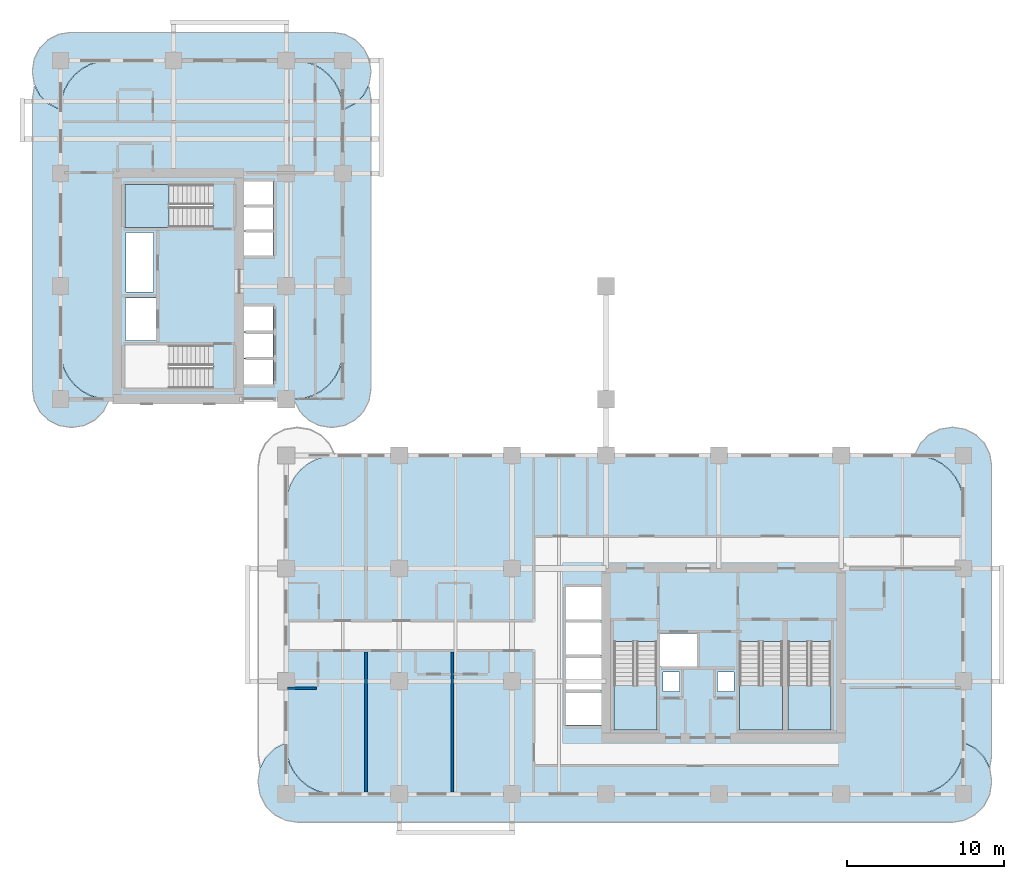
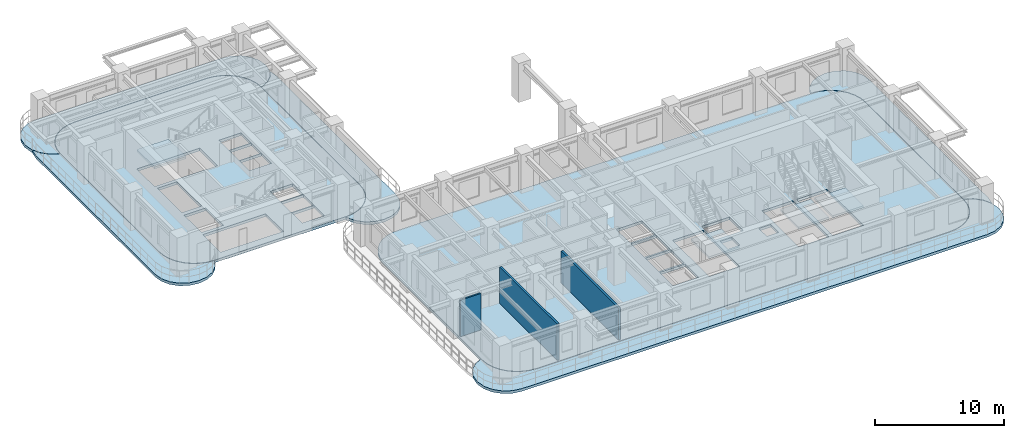
# One storey, part 5 of 18: 11 slabs, 3 walls, 4 elements without a shape of their own.
"""IFC4 building model written with IfcOpenShell, lengths in metres."""

from ifc_helpers import new_model, si_unit, derived_unit, direction, frame, frame_2d, origin, place, context, subcontext, project, spatial, polyline, rectangle, outline, extrude, material, layer, layer_set, type_object, element, aggregate, save


model = new_model("IFC4")

# Units and contexts
model_context = context("Model", 3, precision=1e-05, world=origin(), true_north=direction((0.0, 1.0)))
body_context = subcontext(model_context, "Body", "Model", "MODEL_VIEW")
ifc_project = project(units=[si_unit("LENGTHUNIT", "METRE"), si_unit("AREAUNIT", "SQUARE_METRE"), si_unit("VOLUMEUNIT", "CUBIC_METRE"), si_unit("PLANEANGLEUNIT", "RADIAN"), si_unit("MASSUNIT", "GRAM", prefix="KILO"), si_unit("THERMODYNAMICTEMPERATUREUNIT", "KELVIN"), si_unit("POWERUNIT", "WATT"), derived_unit("THERMALTRANSMITTANCEUNIT", [(si_unit("POWERUNIT", "WATT"), 1), (si_unit("AREAUNIT", "SQUARE_METRE"), -1), (si_unit("THERMODYNAMICTEMPERATUREUNIT", "KELVIN"), -1)])], contexts=[model_context])

# Site, building, storey
site_placement = place(None, origin())
site = spatial("IfcSite", under=ifc_project, at=site_placement, CompositionType="ELEMENT")
building_placement = place(site_placement, origin())
building = spatial("IfcBuilding", under=site, at=building_placement, Name="Zahravan Archway Hotel and Residences", CompositionType="ELEMENT")
storey_placement = place(building_placement, frame((0.0, 0.0, 36.10009765625)))
storey = spatial("IfcBuildingStorey", under=building, at=storey_placement, Name="L07", CompositionType="ELEMENT", Elevation=36.10009765625)

# Slabs
ifc_material_1 = material(Name="Concrete C45/55", Category="concrete")
ifc_layer_1 = layer(ifc_material_1, 0.25, Name="Concrete C45/55", Category="concrete")
ifc_layer_set_1 = layer_set([ifc_layer_1], Name="Concrete C45/55")
slab_type_1 = type_object("IfcSlabType", Name="SLB-BALC-250", PredefinedType="FLOOR", material=ifc_layer_set_1)
slab_1_placement = place(storey_placement, frame((0.0, 0.0, -0.25)))
element("IfcSlab", 1, at=slab_1_placement, inside=storey, type_object=slab_type_1, Name="L07 Wing A South Rounded Balcony Band", PredefinedType="FLOOR", context=body_context, shape_type="SweptSolid", body=[
    extrude(outline(polyline([(57.637939453125, 3.275146484375), (58.348876953125, 2.9130859375), (58.9130859375, 2.348876953125), (59.275146484375, 1.637939453125), (59.39990234375, 0.85009765625), (59.39990234375, 0.75), (59.275146484375, -0.0380859375), (58.9130859375, -0.748779296875), (58.348876953125, -1.31298828125), (57.637939453125, -1.67529296875), (56.85009765625, -1.800048828125), (15.14990234375, -1.800048828125), (14.362060546875, -1.67529296875), (13.651123046875, -1.31298828125), (13.0869140625, -0.748779296875), (12.724853515625, -0.0380859375), (12.60009765625, 0.75), (12.60009765625, 0.85009765625), (12.724853515625, 1.637939453125), (13.0869140625, 2.348876953125), (13.651123046875, 2.9130859375), (14.362060546875, 3.275146484375), (14.3798828125, 3.278076171875), (14.3798828125, 3.10009765625), (14.380126953125, 3.097900390625), (14.439697265625, 2.4931640625), (14.43994140625, 2.4912109375), (14.4404296875, 2.489501953125), (14.616943359375, 1.907958984375), (14.617431640625, 1.906005859375), (14.618408203125, 1.904296875), (14.90478515625, 1.368408203125), (14.90576171875, 1.36669921875), (14.906982421875, 1.364990234375), (15.29248046875, 0.895263671875), (15.2939453125, 0.893798828125), (15.29541015625, 0.892578125), (15.764892578125, 0.5068359375), (15.7666015625, 0.505859375), (15.768310546875, 0.5048828125), (16.30419921875, 0.218505859375), (16.305908203125, 0.217529296875), (16.307861328125, 0.216796875), (16.889404296875, 0.04052734375), (16.891357421875, 0.0400390625), (16.893310546875, 0.039794921875), (17.498046875, -0.02001953125), (17.5, -0.02001953125), (54.5, -0.02001953125), (54.501953125, -0.02001953125), (55.106689453125, 0.039794921875), (55.108642578125, 0.0400390625), (55.110595703125, 0.04052734375), (55.692138671875, 0.216796875), (55.694091796875, 0.217529296875), (55.69580078125, 0.218505859375), (56.231689453125, 0.5048828125), (56.2333984375, 0.505859375), (56.235107421875, 0.5068359375), (56.70458984375, 0.892578125), (56.7060546875, 0.893798828125), (56.70751953125, 0.895263671875), (57.093017578125, 1.364990234375), (57.09423828125, 1.36669921875), (57.09521484375, 1.368408203125), (57.381591796875, 1.904296875), (57.382568359375, 1.906005859375), (57.383056640625, 1.907958984375), (57.5595703125, 2.489501953125), (57.56005859375, 2.4912109375), (57.560302734375, 2.4931640625), (57.619873046875, 3.097900390625), (57.6201171875, 3.10009765625), (57.6201171875, 3.278076171875), (57.637939453125, 3.275146484375)])), origin(), (0.0, 0.0, 1.0), 0.25),
])
slab_2_placement = place(storey_placement, frame((0.0, 0.0, -0.25)))
element("IfcSlab", 2, at=slab_2_placement, inside=storey, type_object=slab_type_1, Name="L07 Wing A East Rounded Balcony Band", PredefinedType="FLOOR", context=body_context, shape_type="SweptSolid", body=[
    extrude(outline(polyline([(54.52001953125, 21.70703125), (54.867919921875, 22.39013671875), (55.409912109375, 22.93212890625), (56.093017578125, 23.280029296875), (56.85009765625, 23.39990234375), (56.949951171875, 23.39990234375), (57.70703125, 23.280029296875), (58.39013671875, 22.93212890625), (58.93212890625, 22.39013671875), (59.280029296875, 21.70703125), (59.39990234375, 20.949951171875), (59.39990234375, 2.449951171875), (59.280029296875, 1.69287109375), (59.27490234375, 1.6826171875), (58.930908203125, 2.35791015625), (58.9296875, 2.35986328125), (58.928466796875, 2.361572265625), (58.927001953125, 2.363037109375), (58.363037109375, 2.927001953125), (58.361572265625, 2.928466796875), (58.35986328125, 2.9296875), (58.35791015625, 2.930908203125), (57.647216796875, 3.29296875), (57.645263671875, 3.2939453125), (57.643310546875, 3.29443359375), (57.64111328125, 3.294921875), (57.623046875, 3.2978515625), (57.62109375, 3.298095703125), (57.6201171875, 3.298095703125), (57.6201171875, 18.5), (57.619873046875, 18.501953125), (57.560302734375, 19.106689453125), (57.56005859375, 19.108642578125), (57.5595703125, 19.110595703125), (57.383056640625, 19.692138671875), (57.382568359375, 19.694091796875), (57.381591796875, 19.69580078125), (57.09521484375, 20.231689453125), (57.09423828125, 20.2333984375), (57.093017578125, 20.235107421875), (56.70751953125, 20.70458984375), (56.7060546875, 20.7060546875), (56.70458984375, 20.70751953125), (56.235107421875, 21.093017578125), (56.2333984375, 21.09423828125), (56.231689453125, 21.09521484375), (55.69580078125, 21.381591796875), (55.694091796875, 21.382568359375), (55.692138671875, 21.383056640625), (55.110595703125, 21.5595703125), (55.108642578125, 21.56005859375), (55.106689453125, 21.560302734375), (54.506103515625, 21.619384765625), (54.52001953125, 21.70703125)])), origin(), (0.0, 0.0, 1.0), 0.25),
])
slab_3_placement = place(storey_placement, frame((0.0, 0.0, -0.25)))
element("IfcSlab", 3, at=slab_3_placement, inside=storey, type_object=slab_type_1, Name="L07 Wing B North Rounded Balcony Band", PredefinedType="FLOOR", context=body_context, shape_type="SweptSolid", body=[
    extrude(outline(polyline([(-0.107177734375, 43.719970703125), (-0.7900390625, 44.06787109375), (-1.33203125, 44.60986328125), (-1.68017578125, 45.29296875), (-1.800048828125, 46.050048828125), (-1.800048828125, 46.14990234375), (-1.68017578125, 46.906982421875), (-1.33203125, 47.590087890625), (-0.7900390625, 48.132080078125), (-0.107177734375, 48.47998046875), (0.64990234375, 48.60009765625), (17.35009765625, 48.60009765625), (18.107177734375, 48.47998046875), (18.7900390625, 48.132080078125), (19.33203125, 47.590087890625), (19.68017578125, 46.906982421875), (19.800048828125, 46.14990234375), (19.800048828125, 46.050048828125), (19.68017578125, 45.29296875), (19.33203125, 44.60986328125), (18.7900390625, 44.06787109375), (18.107177734375, 43.719970703125), (18.01953125, 43.7060546875), (17.960205078125, 44.306884765625), (17.9599609375, 44.30859375), (17.95947265625, 44.310546875), (17.783203125, 44.89208984375), (17.782470703125, 44.89404296875), (17.781494140625, 44.895751953125), (17.4951171875, 45.431640625), (17.494140625, 45.433349609375), (17.4931640625, 45.43505859375), (17.107421875, 45.90478515625), (17.106201171875, 45.906005859375), (17.104736328125, 45.907470703125), (16.635009765625, 46.293212890625), (16.63330078125, 46.294189453125), (16.631591796875, 46.295166015625), (16.095703125, 46.58154296875), (16.093994140625, 46.58251953125), (16.092041015625, 46.5830078125), (15.510498046875, 46.759521484375), (15.5087890625, 46.760009765625), (15.5068359375, 46.76025390625), (14.902099609375, 46.81982421875), (14.89990234375, 46.820068359375), (3.10009765625, 46.820068359375), (3.097900390625, 46.81982421875), (2.4931640625, 46.76025390625), (2.4912109375, 46.760009765625), (2.489501953125, 46.759521484375), (1.907958984375, 46.5830078125), (1.906005859375, 46.58251953125), (1.904296875, 46.58154296875), (1.368408203125, 46.295166015625), (1.36669921875, 46.294189453125), (1.364990234375, 46.293212890625), (0.895263671875, 45.907470703125), (0.893798828125, 45.906005859375), (0.892578125, 45.90478515625), (0.5068359375, 45.43505859375), (0.505859375, 45.433349609375), (0.5048828125, 45.431640625), (0.218505859375, 44.895751953125), (0.217529296875, 44.89404296875), (0.216796875, 44.89208984375), (0.04052734375, 44.310546875), (0.0400390625, 44.30859375), (0.039794921875, 44.306884765625), (-0.01953125, 43.7060546875), (-0.107177734375, 43.719970703125)])), origin(), (0.0, 0.0, 1.0), 0.25),
])
slab_4_placement = place(storey_placement, frame((0.0, 0.0, -0.25)))
element("IfcSlab", 4, at=slab_4_placement, inside=storey, type_object=slab_type_1, Name="L07 Wing B West Rounded Balcony Band", PredefinedType="FLOOR", context=body_context, shape_type="SweptSolid", body=[
    extrude(outline(polyline([(3.080078125, 25.093017578125), (2.732177734375, 24.409912109375), (2.190185546875, 23.867919921875), (1.507080078125, 23.52001953125), (0.75, 23.39990234375), (0.64990234375, 23.39990234375), (-0.107177734375, 23.52001953125), (-0.7900390625, 23.867919921875), (-1.33203125, 24.409912109375), (-1.68017578125, 25.093017578125), (-1.800048828125, 25.85009765625), (-1.800048828125, 44.35009765625), (-1.68017578125, 45.107177734375), (-1.64404296875, 45.177978515625), (-1.349853515625, 44.600830078125), (-1.348876953125, 44.59912109375), (-1.34765625, 44.597412109375), (-1.34619140625, 44.595703125), (-0.80419921875, 44.0537109375), (-0.802734375, 44.052490234375), (-0.801025390625, 44.051025390625), (-0.79931640625, 44.050048828125), (-0.1162109375, 43.7021484375), (-0.1142578125, 43.701171875), (-0.1123046875, 43.70068359375), (-0.110107421875, 43.7001953125), (-0.022705078125, 43.686279296875), (-0.020751953125, 43.68603515625), (-0.02001953125, 43.68603515625), (-0.02001953125, 28.300048828125), (-0.02001953125, 28.298095703125), (0.039794921875, 27.693115234375), (0.0400390625, 27.69140625), (0.04052734375, 27.689453125), (0.216796875, 27.10791015625), (0.217529296875, 27.10595703125), (0.218505859375, 27.104248046875), (0.5048828125, 26.568359375), (0.505859375, 26.566650390625), (0.5068359375, 26.56494140625), (0.892578125, 26.09521484375), (0.893798828125, 26.093994140625), (0.895263671875, 26.092529296875), (1.364990234375, 25.706787109375), (1.36669921875, 25.705810546875), (1.368408203125, 25.704833984375), (1.904296875, 25.41845703125), (1.906005859375, 25.41748046875), (1.907958984375, 25.4169921875), (2.489501953125, 25.240478515625), (2.4912109375, 25.239990234375), (2.4931640625, 25.23974609375), (3.093994140625, 25.180419921875), (3.080078125, 25.093017578125)])), origin(), (0.0, 0.0, 1.0), 0.25),
])
slab_5_placement = place(storey_placement, frame((0.0, 0.0, -0.25)))
element("IfcSlab", 5, at=slab_5_placement, inside=storey, type_object=slab_type_1, Name="L07 Wing B East Rounded Balcony Band", PredefinedType="FLOOR", context=body_context, shape_type="SweptSolid", body=[
    extrude(outline(polyline([(19.68017578125, 45.107177734375), (19.800048828125, 44.35009765625), (19.800048828125, 25.85009765625), (19.68017578125, 25.093017578125), (19.33203125, 24.409912109375), (18.7900390625, 23.867919921875), (18.107177734375, 23.52001953125), (17.35009765625, 23.39990234375), (17.25, 23.39990234375), (16.492919921875, 23.52001953125), (15.809814453125, 23.867919921875), (15.267822265625, 24.409912109375), (14.919921875, 25.093017578125), (14.906005859375, 25.180419921875), (15.5068359375, 25.23974609375), (15.5087890625, 25.239990234375), (15.510498046875, 25.240478515625), (16.092041015625, 25.4169921875), (16.093994140625, 25.41748046875), (16.095703125, 25.41845703125), (16.631591796875, 25.704833984375), (16.63330078125, 25.705810546875), (16.635009765625, 25.706787109375), (17.104736328125, 26.092529296875), (17.106201171875, 26.093994140625), (17.107421875, 26.09521484375), (17.4931640625, 26.56494140625), (17.494140625, 26.566650390625), (17.4951171875, 26.568359375), (17.781494140625, 27.104248046875), (17.782470703125, 27.10595703125), (17.783203125, 27.10791015625), (17.95947265625, 27.689453125), (17.9599609375, 27.69140625), (17.960205078125, 27.693115234375), (18.02001953125, 28.298095703125), (18.02001953125, 28.300048828125), (18.02001953125, 43.68603515625), (18.020751953125, 43.68603515625), (18.022705078125, 43.686279296875), (18.110107421875, 43.7001953125), (18.1123046875, 43.70068359375), (18.1142578125, 43.701171875), (18.1162109375, 43.7021484375), (18.79931640625, 44.050048828125), (18.801025390625, 44.051025390625), (18.802734375, 44.052490234375), (18.80419921875, 44.0537109375), (19.34619140625, 44.595703125), (19.34765625, 44.597412109375), (19.348876953125, 44.59912109375), (19.349853515625, 44.600830078125), (19.64404296875, 45.177978515625), (19.68017578125, 45.107177734375)])), origin(), (0.0, 0.0, 1.0), 0.25),
])
ifc_layer_2 = layer(ifc_material_1, 0.25, Name="Concrete C45/55", Category="concrete")
ifc_layer_set_2 = layer_set([ifc_layer_2], Name="Concrete C45/55")
slab_type_2 = type_object("IfcSlabType", Name="SLB-FLR-250", PredefinedType="FLOOR", material=ifc_layer_set_2)
slab_6_placement = place(storey_placement, frame((0.0, 0.0, -0.25)))
element("IfcSlab", 6, at=slab_6_placement, inside=storey, type_object=slab_type_2, Name="L07 Floor Slab WA", PredefinedType="FLOOR", context=body_context, shape_type="SweptSolid", body=[
    extrude(outline(polyline([(54.5, 0.0), (55.104736328125, 0.0595703125), (55.686279296875, 0.236083984375), (56.222412109375, 0.5224609375), (56.69189453125, 0.907958984375), (57.07763671875, 1.377685546875), (57.364013671875, 1.913818359375), (57.540283203125, 2.4951171875), (57.60009765625, 3.10009765625), (57.60009765625, 18.5), (57.540283203125, 19.104736328125), (57.364013671875, 19.686279296875), (57.07763671875, 20.222412109375), (56.69189453125, 20.69189453125), (56.222412109375, 21.07763671875), (55.686279296875, 21.364013671875), (55.104736328125, 21.540283203125), (54.5, 21.60009765625), (17.5, 21.60009765625), (16.895263671875, 21.540283203125), (16.313720703125, 21.364013671875), (15.777587890625, 21.07763671875), (15.30810546875, 20.69189453125), (14.92236328125, 20.222412109375), (14.635986328125, 19.686279296875), (14.459716796875, 19.104736328125), (14.39990234375, 18.5), (14.39990234375, 3.10009765625), (14.459716796875, 2.4951171875), (14.635986328125, 1.913818359375), (14.92236328125, 1.377685546875), (15.30810546875, 0.907958984375), (15.777587890625, 0.5224609375), (16.313720703125, 0.236083984375), (16.895263671875, 0.0595703125), (17.5, 0.0), (54.5, 0.0)]), holes=[polyline([(35.300048828125, 9.72998046875), (35.300048828125, 4.10009765625), (38.0400390625, 4.10009765625), (38.0400390625, 9.72998046875), (35.300048828125, 9.72998046875)]), polyline([(43.320068359375, 9.72998046875), (43.320068359375, 4.10009765625), (46.06005859375, 4.10009765625), (46.06005859375, 9.72998046875), (43.320068359375, 9.72998046875)]), polyline([(46.39990234375, 9.72998046875), (46.39990234375, 4.10009765625), (49.139892578125, 4.10009765625), (49.139892578125, 9.72998046875), (46.39990234375, 9.72998046875)]), polyline([(38.179931640625, 8.14990234375), (40.699951171875, 8.14990234375), (40.699951171875, 10.25), (38.179931640625, 10.25), (38.179931640625, 8.14990234375)]), polyline([(32.25, 4.39990234375), (34.550048828125, 4.39990234375), (34.550048828125, 6.47998046875), (32.25, 6.47998046875), (32.25, 4.39990234375)]), polyline([(32.25, 6.639892578125), (34.550048828125, 6.639892578125), (34.550048828125, 8.719970703125), (32.25, 8.719970703125), (32.25, 6.639892578125)]), polyline([(32.25, 8.8798828125), (34.550048828125, 8.8798828125), (34.550048828125, 10.9599609375), (32.25, 10.9599609375), (32.25, 8.8798828125)]), polyline([(32.25, 11.1201171875), (34.550048828125, 11.1201171875), (34.550048828125, 13.199951171875), (32.25, 13.199951171875), (32.25, 11.1201171875)]), polyline([(38.419921875, 6.56005859375), (39.5, 6.56005859375), (39.5, 7.780029296875), (38.419921875, 7.780029296875), (38.419921875, 6.56005859375)]), polyline([(41.89990234375, 6.56005859375), (42.9599609375, 6.56005859375), (42.9599609375, 7.780029296875), (41.89990234375, 7.780029296875), (41.89990234375, 6.56005859375)])]), origin(), (0.0, 0.0, 1.0), 0.25),
])
slab_7_placement = place(storey_placement, frame((0.0, 0.0, -0.25)))
element("IfcSlab", 7, at=slab_7_placement, inside=storey, type_object=slab_type_2, Name="L07 Floor Slab WB", PredefinedType="FLOOR", context=body_context, shape_type="SweptSolid", body=[
    extrude(outline(polyline([(14.89990234375, 25.199951171875), (15.5048828125, 25.259521484375), (16.086181640625, 25.43603515625), (16.622314453125, 25.722412109375), (17.092041015625, 26.10791015625), (17.4775390625, 26.57763671875), (17.763916015625, 27.11376953125), (17.9404296875, 27.6953125), (18.0, 28.300048828125), (18.0, 43.699951171875), (17.9404296875, 44.3046875), (17.763916015625, 44.88623046875), (17.4775390625, 45.42236328125), (17.092041015625, 45.89208984375), (16.622314453125, 46.277587890625), (16.086181640625, 46.56396484375), (15.5048828125, 46.740478515625), (14.89990234375, 46.800048828125), (3.10009765625, 46.800048828125), (2.4951171875, 46.740478515625), (1.913818359375, 46.56396484375), (1.377685546875, 46.277587890625), (0.907958984375, 45.89208984375), (0.5224609375, 45.42236328125), (0.236083984375, 44.88623046875), (0.0595703125, 44.3046875), (0.0, 43.699951171875), (0.0, 28.300048828125), (0.0595703125, 27.6953125), (0.236083984375, 27.11376953125), (0.5224609375, 26.57763671875), (0.907958984375, 26.10791015625), (1.377685546875, 25.722412109375), (1.913818359375, 25.43603515625), (2.4951171875, 25.259521484375), (3.10009765625, 25.199951171875), (14.89990234375, 25.199951171875)]), holes=[polyline([(9.72998046875, 28.639892578125), (4.10009765625, 28.639892578125), (4.10009765625, 25.89990234375), (9.72998046875, 25.89990234375), (9.72998046875, 28.639892578125)]), polyline([(9.72998046875, 38.89990234375), (4.10009765625, 38.89990234375), (4.10009765625, 36.159912109375), (9.72998046875, 36.159912109375), (9.72998046875, 38.89990234375)]), polyline([(4.14990234375, 28.949951171875), (6.10009765625, 28.949951171875), (6.10009765625, 31.64990234375), (4.14990234375, 31.64990234375), (4.14990234375, 28.949951171875)]), polyline([(11.550048828125, 26.14990234375), (13.550048828125, 26.14990234375), (13.550048828125, 27.75), (11.550048828125, 27.75), (11.550048828125, 26.14990234375)]), polyline([(11.550048828125, 27.830078125), (13.550048828125, 27.830078125), (13.550048828125, 29.429931640625), (11.550048828125, 29.429931640625), (11.550048828125, 27.830078125)]), polyline([(11.550048828125, 29.510009765625), (13.550048828125, 29.510009765625), (13.550048828125, 31.110107421875), (11.550048828125, 31.110107421875), (11.550048828125, 29.510009765625)]), polyline([(11.550048828125, 34.35009765625), (13.550048828125, 34.35009765625), (13.550048828125, 35.889892578125), (11.550048828125, 35.889892578125), (11.550048828125, 34.35009765625)]), polyline([(11.550048828125, 35.949951171875), (13.550048828125, 35.949951171875), (13.550048828125, 37.489990234375), (11.550048828125, 37.489990234375), (11.550048828125, 35.949951171875)]), polyline([(11.550048828125, 37.550048828125), (13.550048828125, 37.550048828125), (13.550048828125, 39.090087890625), (11.550048828125, 39.090087890625), (11.550048828125, 37.550048828125)]), polyline([(4.179931640625, 32.050048828125), (5.93994140625, 32.050048828125), (5.93994140625, 35.840087890625), (4.179931640625, 35.840087890625), (4.179931640625, 32.050048828125)])]), origin(), (0.0, 0.0, 1.0), 0.25),
])

# Stair, slab
ifc_material_2 = material(Name="Concrete C50/60", Category="concrete")
stair_type = type_object("IfcStairType", Name="STR-CORE-1300", PredefinedType="HALF_TURN_STAIR", material=ifc_material_2)
stair_1_placement = place(storey_placement, origin())
stair_1 = element("IfcStair", 8, at=stair_1_placement, inside=storey, type_object=stair_type, Name="L07 Core A Exit Stair 1", PredefinedType="HALF_TURN_STAIR")
ifc_layer_3 = layer(ifc_material_2, 0.199951171875, Name="Concrete C50/60", Category="concrete")
ifc_layer_set_3 = layer_set([ifc_layer_3], Name="Concrete C50/60")
slab_type_3 = type_object("IfcSlabType", Name="SLB-LND-200", PredefinedType="LANDING", material=ifc_layer_set_3)
slab_8_placement = place(storey_placement, frame((0.0, 0.0, 1.64990234375)))
slab_8 = element("IfcSlab", 9, at=slab_8_placement, type_object=slab_type_3, Name="ST-A1 landing 1", PredefinedType="LANDING", context=body_context, shape_type="SweptSolid", body=[
    extrude(outline(polyline([(35.300048828125, 6.929931640625), (35.300048828125, 4.10009765625), (38.0400390625, 4.10009765625), (38.0400390625, 6.929931640625), (35.300048828125, 6.929931640625)])), origin(), (0.0, 0.0, 1.0), 0.199951171875),
])
aggregate(stair_1, [slab_8])

stair_2_placement = place(storey_placement, origin())
stair_2 = element("IfcStair", 10, at=stair_2_placement, inside=storey, type_object=stair_type, Name="L07 Core A Exit Stair 2", PredefinedType="HALF_TURN_STAIR")
slab_9_placement = place(storey_placement, frame((0.0, 0.0, 1.64990234375)))
slab_9 = element("IfcSlab", 11, at=slab_9_placement, type_object=slab_type_3, Name="ST-A2 landing 1", PredefinedType="LANDING", context=body_context, shape_type="SweptSolid", body=[
    extrude(outline(polyline([(43.320068359375, 6.929931640625), (43.320068359375, 4.10009765625), (46.06005859375, 4.10009765625), (46.06005859375, 6.929931640625), (43.320068359375, 6.929931640625)])), origin(), (0.0, 0.0, 1.0), 0.199951171875),
])
aggregate(stair_2, [slab_9])

stair_3_placement = place(storey_placement, origin())
stair_3 = element("IfcStair", 12, at=stair_3_placement, inside=storey, type_object=stair_type, Name="L07 Core A Exit Stair 3", PredefinedType="HALF_TURN_STAIR")
slab_10_placement = place(storey_placement, frame((0.0, 0.0, 1.64990234375)))
slab_10 = element("IfcSlab", 13, at=slab_10_placement, type_object=slab_type_3, Name="ST-A3 landing 1", PredefinedType="LANDING", context=body_context, shape_type="SweptSolid", body=[
    extrude(outline(polyline([(46.39990234375, 6.929931640625), (46.39990234375, 4.10009765625), (49.139892578125, 4.10009765625), (49.139892578125, 6.929931640625), (46.39990234375, 6.929931640625)])), origin(), (0.0, 0.0, 1.0), 0.199951171875),
])
aggregate(stair_3, [slab_10])

stair_4_placement = place(storey_placement, origin())
stair_4 = element("IfcStair", 14, at=stair_4_placement, inside=storey, type_object=stair_type, Name="L07 Core B Exit Stair 2", PredefinedType="HALF_TURN_STAIR")
slab_11_placement = place(storey_placement, frame((0.0, 0.0, 1.64990234375)))
slab_11 = element("IfcSlab", 15, at=slab_11_placement, type_object=slab_type_3, Name="ST-B2 landing 1", PredefinedType="LANDING", context=body_context, shape_type="SweptSolid", body=[
    extrude(outline(polyline([(6.929931640625, 38.89990234375), (4.10009765625, 38.89990234375), (4.10009765625, 36.159912109375), (6.929931640625, 36.159912109375), (6.929931640625, 38.89990234375)])), origin(), (0.0, 0.0, 1.0), 0.199951171875),
])
aggregate(stair_4, [slab_11])

# Walls
ifc_material_3 = material(Name="Acoustic Stud Partition")
ifc_layer_4 = layer(ifc_material_3, 0.169921875, Name="Acoustic Stud Partition")
ifc_layer_set_4 = layer_set([ifc_layer_4], Name="Acoustic Stud Partition")
wall_type_1 = type_object("IfcWallType", Name="PW-UNIT-170", PredefinedType="PARTITIONING", material=ifc_layer_set_4)
wall_1_placement = place(storey_placement, frame((19.47998046875, 0.14794921875, 0.0), z_axis=(0.0, 0.0, 1.0), x_axis=(0.0, 1.0, 0.0)))
element("IfcWall", 16, at=wall_1_placement, inside=storey, type_object=wall_type_1, Name="L07 Partition WAS-0A", PredefinedType="PARTITIONING", context=body_context, shape_type="SweptSolid", body=[
    extrude(rectangle(XDim=8.912109375, YDim=0.169921875, at=frame_2d((4.4560546875, 0.0))), origin(), (0.0, 0.0, 1.0), 3.449951171875),
])
wall_2_placement = place(storey_placement, frame((24.986083984375, 0.14794921875, 0.0), z_axis=(0.0, 0.0, 1.0), x_axis=(0.0, 1.0, 0.0)))
element("IfcWall", 17, at=wall_2_placement, inside=storey, type_object=wall_type_1, Name="L07 Partition WAS-0B", PredefinedType="PARTITIONING", context=body_context, shape_type="SweptSolid", body=[
    extrude(rectangle(XDim=8.912109375, YDim=0.169921875, at=frame_2d((4.4560546875, 0.0))), origin(), (0.0, 0.0, 1.0), 3.034912109375),
])
ifc_material_4 = material(Name="Moisture-Resistant Blockwork", Category="masonry")
ifc_layer_5 = layer(ifc_material_4, 0.139892578125, Name="Moisture-Resistant Blockwork", Category="masonry")
ifc_layer_set_5 = layer_set([ifc_layer_5], Name="Moisture-Resistant Blockwork")
wall_type_2 = type_object("IfcWallType", Name="PW-WET-140", PredefinedType="PARTITIONING", material=ifc_layer_set_5)
wall_3_placement = place(storey_placement, frame((14.489990234375, 6.75, 0.0), z_axis=(0.0, 0.0, 1.0), x_axis=(1.0, 0.0, 0.0)))
element("IfcWall", 18, at=wall_3_placement, inside=storey, type_object=wall_type_2, Name="L07 Partition HKB-H1", PredefinedType="PARTITIONING", context=body_context, shape_type="SweptSolid", body=[
    extrude(rectangle(XDim=1.85205078125, YDim=0.139892578125, at=frame_2d((0.926025390625, 0.0))), origin(), (0.0, 0.0, 1.0), 3.449951171875),
])

save(model, "model.ifc")
